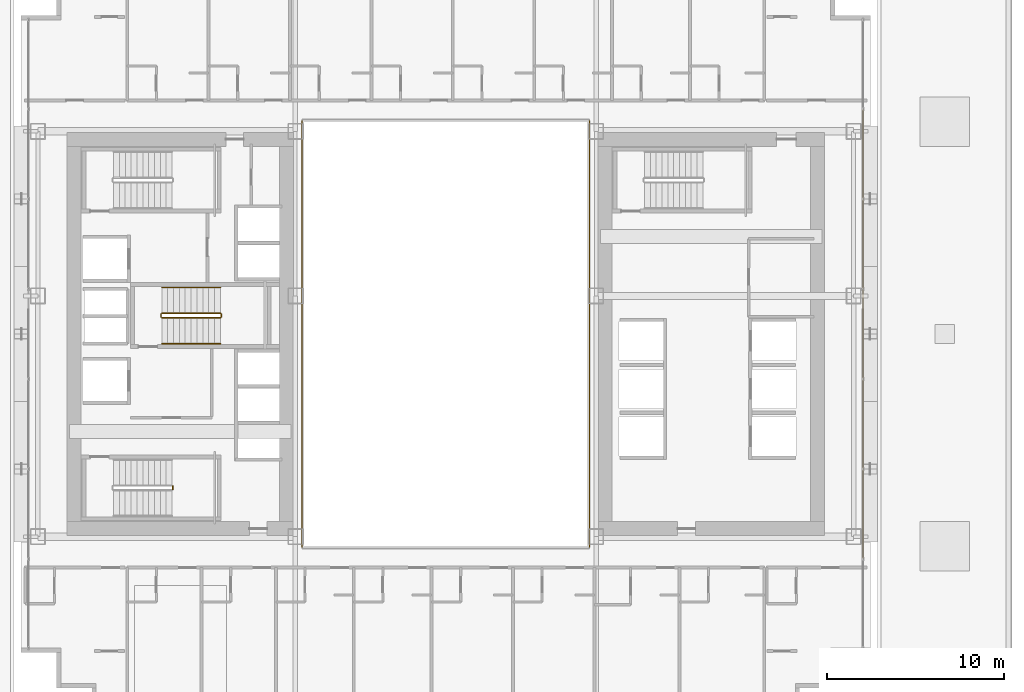
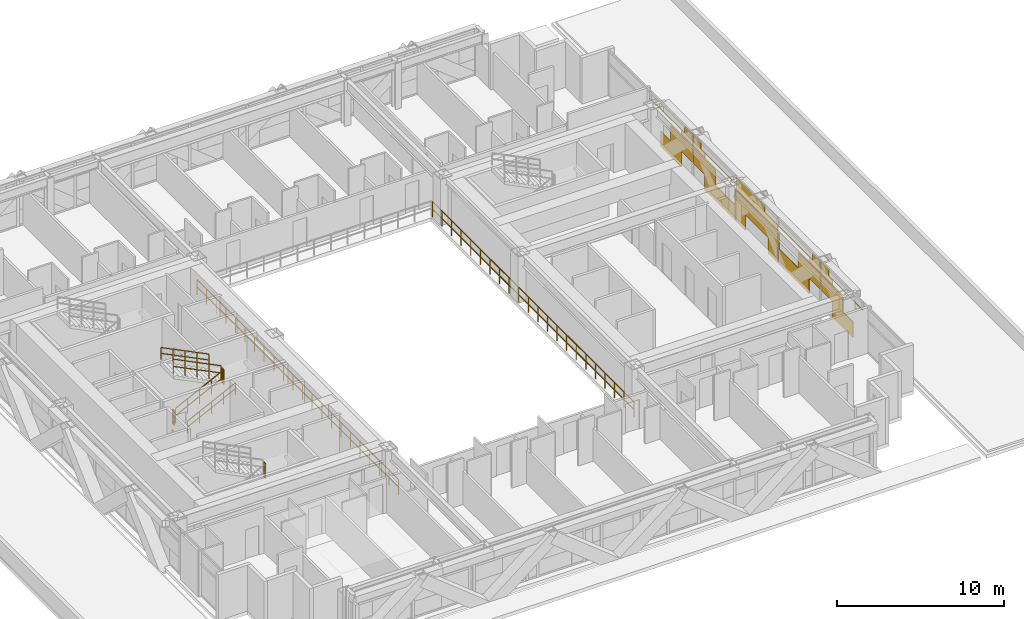
# One storey, part 33 of 35: 9 railings, 1 covering.
"""IFC4 building model written with IfcOpenShell, lengths in metres."""

from ifc_helpers import new_model, si_unit, direction, frame, origin, origin_2d, place, context, subcontext, project, spatial, rectangle, extrude, material, layer, layer_set, type_object, element, save


model = new_model("IFC4")

# Units and contexts
model_context = context("Model", 3, precision=1e-05, world=origin(), true_north=direction((0.0, 1.0)))
body_context = subcontext(model_context, "Body", "Model", "MODEL_VIEW")
ifc_project = project(units=[si_unit("LENGTHUNIT", "METRE"), si_unit("AREAUNIT", "SQUARE_METRE"), si_unit("VOLUMEUNIT", "CUBIC_METRE"), si_unit("PLANEANGLEUNIT", "RADIAN"), si_unit("MASSUNIT", "GRAM", prefix="KILO")], contexts=[model_context])

# Site, building, storey
site_placement = place(None, origin())
site = spatial("IfcSite", under=ifc_project, at=site_placement, CompositionType="ELEMENT")
building_placement = place(site_placement, origin())
building = spatial("IfcBuilding", under=site, at=building_placement, Name="Ocotamira Hotel", CompositionType="ELEMENT")
storey_placement = place(building_placement, frame((0.0, 0.0, 34.800048828125)))
storey = spatial("IfcBuildingStorey", under=building, at=storey_placement, Name="L07", CompositionType="ELEMENT", Elevation=34.800048828125)

# Covering
ifc_material_1 = material(Name="Insulated pale-metal aluminium spandrel panel", Category="aluminium")
ifc_layer = layer(ifc_material_1, 0.044921875)
ifc_layer_set = layer_set([ifc_layer], Name="Insulated pale-metal aluminium spandrel panel")
covering_type = type_object("IfcCoveringType", Name="COV-INFILL-45", PredefinedType="CLADDING", material=ifc_layer_set)
covering_placement = place(storey_placement, origin())
element("IfcCovering", 1, at=covering_placement, inside=storey, type_object=covering_type, Name="L07 Curtain Wall Infill CW-2 CW-L07-E", PredefinedType="CLADDING", context=body_context, shape_type="SweptSolid", body=[
    extrude(rectangle(XDim=2.49658203125, YDim=0.044921875, at=origin_2d()), frame((55.580078125, 15.752685546875, 0.075439453125), z_axis=(0.0, 0.0, 1.0), x_axis=(0.0, 1.0, 0.0)), (0.0, 0.0, 1.0), 1.11767578125),
    extrude(rectangle(XDim=2.640625, YDim=0.044921875, at=origin_2d()), frame((55.580078125, 17.010498046875, 1.194091796875), z_axis=(0.0, 0.0, 1.0), x_axis=(0.0, 1.0, 0.0)), (0.0, 0.0, 1.0), 1.11767578125),
    extrude(rectangle(XDim=5.004638671875, YDim=0.044921875, at=origin_2d()), frame((55.580078125, 15.82861328125, 2.755859375), z_axis=(0.0, 0.0, 1.0), x_axis=(0.0, 1.0, 0.0)), (0.0, 0.0, 1.0), 0.033203125),
    extrude(rectangle(XDim=1.375, YDim=0.044921875, at=origin_2d()), frame((55.580078125, 17.643310546875, 2.38818359375), z_axis=(0.0, 0.0, 1.0), x_axis=(0.0, 1.0, 0.0)), (0.0, 0.0, 1.0), 0.366943359375),
    extrude(rectangle(XDim=0.948486328125, YDim=0.044921875, at=origin_2d()), frame((55.580078125, 17.856689453125, 2.79052734375), z_axis=(0.0, 0.0, 1.0), x_axis=(0.0, 1.0, 0.0)), (0.0, 0.0, 1.0), 0.484130859375),
    extrude(rectangle(XDim=2.631103515625, YDim=0.044921875, at=origin_2d()), frame((55.580078125, 19.727294921875, 1.194091796875), z_axis=(0.0, 0.0, 1.0), x_axis=(0.0, 1.0, 0.0)), (0.0, 0.0, 1.0), 1.11767578125),
    extrude(rectangle(XDim=3.684326171875, YDim=0.044921875, at=origin_2d()), frame((55.580078125, 21.574462890625, 0.075439453125), z_axis=(0.0, 0.0, 1.0), x_axis=(0.0, 1.0, 0.0)), (0.0, 0.0, 1.0), 1.11767578125),
    extrude(rectangle(XDim=0.093017578125, YDim=0.044921875, at=origin_2d()), frame((55.580078125, 23.3701171875, 1.194091796875), z_axis=(0.0, 0.0, 1.0), x_axis=(0.0, 1.0, 0.0)), (0.0, 0.0, 1.0), 1.11767578125),
    extrude(rectangle(XDim=1.365478515625, YDim=0.044921875, at=origin_2d()), frame((55.580078125, 19.094482421875, 2.38818359375), z_axis=(0.0, 0.0, 1.0), x_axis=(0.0, 1.0, 0.0)), (0.0, 0.0, 1.0), 0.366943359375),
    extrude(rectangle(XDim=5.004638671875, YDim=0.044921875, at=origin_2d()), frame((55.580078125, 20.914306640625, 2.755859375), z_axis=(0.0, 0.0, 1.0), x_axis=(0.0, 1.0, 0.0)), (0.0, 0.0, 1.0), 0.033203125),
    extrude(rectangle(XDim=0.93896484375, YDim=0.044921875, at=origin_2d()), frame((55.580078125, 18.88134765625, 2.79052734375), z_axis=(0.0, 0.0, 1.0), x_axis=(0.0, 1.0, 0.0)), (0.0, 0.0, 1.0), 0.484130859375),
    extrude(rectangle(XDim=1.13671875, YDim=0.044921875, at=origin_2d()), frame((55.580078125, 24.06591796875, 0.075439453125), z_axis=(0.0, 0.0, 1.0), x_axis=(0.0, 1.0, 0.0)), (0.0, 0.0, 1.0), 1.11767578125),
    extrude(rectangle(XDim=5.004638671875, YDim=0.044921875, at=origin_2d()), frame((55.580078125, 26.0, 1.194091796875), z_axis=(0.0, 0.0, 1.0), x_axis=(0.0, 1.0, 0.0)), (0.0, 0.0, 1.0), 1.11767578125),
    extrude(rectangle(XDim=1.13671875, YDim=0.044921875, at=origin_2d()), frame((55.580078125, 27.93408203125, 0.075439453125), z_axis=(0.0, 0.0, 1.0), x_axis=(0.0, 1.0, 0.0)), (0.0, 0.0, 1.0), 1.11767578125),
    extrude(rectangle(XDim=5.004638671875, YDim=0.044921875, at=origin_2d()), frame((55.580078125, 26.0, 2.387939453125), z_axis=(0.0, 0.0, 1.0), x_axis=(0.0, 1.0, 0.0)), (0.0, 0.0, 1.0), 0.4013671875),
    extrude(rectangle(XDim=3.486572265625, YDim=0.044921875, at=origin_2d()), frame((55.580078125, 26.759033203125, 2.79052734375), z_axis=(0.0, 0.0, 1.0), x_axis=(0.0, 1.0, 0.0)), (0.0, 0.0, 1.0), 0.484130859375),
    extrude(rectangle(XDim=3.684326171875, YDim=0.044921875, at=origin_2d()), frame((55.580078125, 30.425537109375, 0.075439453125), z_axis=(0.0, 0.0, 1.0), x_axis=(0.0, 1.0, 0.0)), (0.0, 0.0, 1.0), 1.11767578125),
    extrude(rectangle(XDim=0.093017578125, YDim=0.044921875, at=origin_2d()), frame((55.580078125, 28.6298828125, 1.194091796875), z_axis=(0.0, 0.0, 1.0), x_axis=(0.0, 1.0, 0.0)), (0.0, 0.0, 1.0), 1.11767578125),
    extrude(rectangle(XDim=2.631103515625, YDim=0.044921875, at=origin_2d()), frame((55.580078125, 32.272705078125, 1.194091796875), z_axis=(0.0, 0.0, 1.0), x_axis=(0.0, 1.0, 0.0)), (0.0, 0.0, 1.0), 1.11767578125),
    extrude(rectangle(XDim=5.004638671875, YDim=0.044921875, at=origin_2d()), frame((55.580078125, 31.085693359375, 2.755859375), z_axis=(0.0, 0.0, 1.0), x_axis=(0.0, 1.0, 0.0)), (0.0, 0.0, 1.0), 0.033203125),
    extrude(rectangle(XDim=1.365478515625, YDim=0.044921875, at=origin_2d()), frame((55.580078125, 32.905517578125, 2.38818359375), z_axis=(0.0, 0.0, 1.0), x_axis=(0.0, 1.0, 0.0)), (0.0, 0.0, 1.0), 0.366943359375),
    extrude(rectangle(XDim=0.93896484375, YDim=0.044921875, at=origin_2d()), frame((55.580078125, 33.11865234375, 2.79052734375), z_axis=(0.0, 0.0, 1.0), x_axis=(0.0, 1.0, 0.0)), (0.0, 0.0, 1.0), 0.484130859375),
    extrude(rectangle(XDim=2.640625, YDim=0.044921875, at=origin_2d()), frame((55.580078125, 34.989501953125, 1.194091796875), z_axis=(0.0, 0.0, 1.0), x_axis=(0.0, 1.0, 0.0)), (0.0, 0.0, 1.0), 1.11767578125),
    extrude(rectangle(XDim=2.49658203125, YDim=0.044921875, at=origin_2d()), frame((55.580078125, 36.247314453125, 0.075439453125), z_axis=(0.0, 0.0, 1.0), x_axis=(0.0, 1.0, 0.0)), (0.0, 0.0, 1.0), 1.11767578125),
    extrude(rectangle(XDim=1.375, YDim=0.044921875, at=origin_2d()), frame((55.580078125, 34.356689453125, 2.38818359375), z_axis=(0.0, 0.0, 1.0), x_axis=(0.0, 1.0, 0.0)), (0.0, 0.0, 1.0), 0.366943359375),
    extrude(rectangle(XDim=5.004638671875, YDim=0.044921875, at=origin_2d()), frame((55.580078125, 36.17138671875, 2.755859375), z_axis=(0.0, 0.0, 1.0), x_axis=(0.0, 1.0, 0.0)), (0.0, 0.0, 1.0), 0.033203125),
    extrude(rectangle(XDim=0.948486328125, YDim=0.044921875, at=origin_2d()), frame((55.580078125, 34.143310546875, 2.79052734375), z_axis=(0.0, 0.0, 1.0), x_axis=(0.0, 1.0, 0.0)), (0.0, 0.0, 1.0), 0.484130859375),
])

# Railings
ifc_material_2 = material(Name="Painted steel stair guardrail", Category="steel")
railing_type_1 = type_object("IfcRailingType", Name="RL-EDGE-1150", PredefinedType="GUARDRAIL", material=ifc_material_2)
railing_1_placement = place(storey_placement, frame((40.1201171875, 13.9599609375, 0.0)))
element("IfcRailing", 2, at=railing_1_placement, inside=storey, type_object=railing_type_1, Name="L07 Central Atrium Edge Guardrail E", PredefinedType="GUARDRAIL", context=body_context, shape_type="SweptSolid", body=[
    extrude(rectangle(XDim=0.048095703125, YDim=0.048095703125, at=origin_2d()), frame((0.0, 0.0, 1.1259765625), z_axis=(0.0, 1.0, 0.0), x_axis=(-1.0, 0.0, 0.0)), (0.0, 0.0, 1.0), 24.080078125),
    extrude(rectangle(XDim=0.048095703125, YDim=0.048095703125, at=origin_2d()), frame((0.0, 0.0, 0.574951171875), z_axis=(0.0, 1.0, 0.0), x_axis=(-1.0, 0.0, 0.0)), (0.0, 0.0, 1.0), 24.080078125),
    extrude(rectangle(XDim=0.0419921875, YDim=0.0419921875, at=origin_2d()), origin(), (0.0, 0.0, 1.0), 1.101806640625),
    extrude(rectangle(XDim=0.0419921875, YDim=0.0419921875, at=origin_2d()), frame((0.0, 1.146728515625, 0.0)), (0.0, 0.0, 1.0), 1.101806640625),
    extrude(rectangle(XDim=0.0419921875, YDim=0.0419921875, at=origin_2d()), frame((0.0, 2.29345703125, 0.0)), (0.0, 0.0, 1.0), 1.101806640625),
    extrude(rectangle(XDim=0.0419921875, YDim=0.0419921875, at=origin_2d()), frame((0.0, 3.43994140625, 0.0)), (0.0, 0.0, 1.0), 1.101806640625),
    extrude(rectangle(XDim=0.0419921875, YDim=0.0419921875, at=origin_2d()), frame((0.0, 4.586669921875, 0.0)), (0.0, 0.0, 1.0), 1.101806640625),
    extrude(rectangle(XDim=0.0419921875, YDim=0.0419921875, at=origin_2d()), frame((0.0, 5.7333984375, 0.0)), (0.0, 0.0, 1.0), 1.101806640625),
    extrude(rectangle(XDim=0.0419921875, YDim=0.0419921875, at=origin_2d()), frame((0.0, 6.880126953125, 0.0)), (0.0, 0.0, 1.0), 1.101806640625),
    extrude(rectangle(XDim=0.0419921875, YDim=0.0419921875, at=origin_2d()), frame((0.0, 8.026611328125, 0.0)), (0.0, 0.0, 1.0), 1.101806640625),
    extrude(rectangle(XDim=0.0419921875, YDim=0.0419921875, at=origin_2d()), frame((0.0, 9.17333984375, 0.0)), (0.0, 0.0, 1.0), 1.101806640625),
    extrude(rectangle(XDim=0.0419921875, YDim=0.0419921875, at=origin_2d()), frame((0.0, 10.320068359375, 0.0)), (0.0, 0.0, 1.0), 1.101806640625),
    extrude(rectangle(XDim=0.0419921875, YDim=0.0419921875, at=origin_2d()), frame((0.0, 11.466796875, 0.0)), (0.0, 0.0, 1.0), 1.101806640625),
    extrude(rectangle(XDim=0.0419921875, YDim=0.0419921875, at=origin_2d()), frame((0.0, 12.61328125, 0.0)), (0.0, 0.0, 1.0), 1.101806640625),
    extrude(rectangle(XDim=0.0419921875, YDim=0.0419921875, at=origin_2d()), frame((0.0, 13.760009765625, 0.0)), (0.0, 0.0, 1.0), 1.101806640625),
    extrude(rectangle(XDim=0.0419921875, YDim=0.0419921875, at=origin_2d()), frame((0.0, 14.90673828125, 0.0)), (0.0, 0.0, 1.0), 1.101806640625),
    extrude(rectangle(XDim=0.0419921875, YDim=0.0419921875, at=origin_2d()), frame((0.0, 16.053466796875, 0.0)), (0.0, 0.0, 1.0), 1.101806640625),
    extrude(rectangle(XDim=0.0419921875, YDim=0.0419921875, at=origin_2d()), frame((0.0, 17.199951171875, 0.0)), (0.0, 0.0, 1.0), 1.101806640625),
    extrude(rectangle(XDim=0.0419921875, YDim=0.0419921875, at=origin_2d()), frame((0.0, 18.3466796875, 0.0)), (0.0, 0.0, 1.0), 1.101806640625),
    extrude(rectangle(XDim=0.0419921875, YDim=0.0419921875, at=origin_2d()), frame((0.0, 19.493408203125, 0.0)), (0.0, 0.0, 1.0), 1.101806640625),
    extrude(rectangle(XDim=0.0419921875, YDim=0.0419921875, at=origin_2d()), frame((0.0, 20.64013671875, 0.0)), (0.0, 0.0, 1.0), 1.101806640625),
    extrude(rectangle(XDim=0.0419921875, YDim=0.0419921875, at=origin_2d()), frame((0.0, 21.78662109375, 0.0)), (0.0, 0.0, 1.0), 1.101806640625),
    extrude(rectangle(XDim=0.0419921875, YDim=0.0419921875, at=origin_2d()), frame((0.0, 22.933349609375, 0.0)), (0.0, 0.0, 1.0), 1.101806640625),
    extrude(rectangle(XDim=0.0419921875, YDim=0.0419921875, at=origin_2d()), frame((0.0, 24.080078125, 0.0)), (0.0, 0.0, 1.0), 1.101806640625),
])
railing_2_placement = place(storey_placement, frame((23.8798828125, 38.0400390625, 0.0)))
element("IfcRailing", 3, at=railing_2_placement, inside=storey, type_object=railing_type_1, Name="L07 Central Atrium Edge Guardrail W", PredefinedType="GUARDRAIL", context=body_context, shape_type="SweptSolid", body=[
    extrude(rectangle(XDim=0.048095703125, YDim=0.048095703125, at=origin_2d()), frame((0.0, 0.0, 1.1259765625), z_axis=(0.0, -1.0, 0.0), x_axis=(1.0, 0.0, 0.0)), (0.0, 0.0, 1.0), 24.080078125),
    extrude(rectangle(XDim=0.048095703125, YDim=0.048095703125, at=origin_2d()), frame((0.0, 0.0, 0.574951171875), z_axis=(0.0, -1.0, 0.0), x_axis=(1.0, 0.0, 0.0)), (0.0, 0.0, 1.0), 24.080078125),
    extrude(rectangle(XDim=0.0419921875, YDim=0.0419921875, at=origin_2d()), origin(), (0.0, 0.0, 1.0), 1.101806640625),
    extrude(rectangle(XDim=0.0419921875, YDim=0.0419921875, at=origin_2d()), frame((0.0, -1.146728515625, 0.0)), (0.0, 0.0, 1.0), 1.101806640625),
    extrude(rectangle(XDim=0.0419921875, YDim=0.0419921875, at=origin_2d()), frame((0.0, -2.29345703125, 0.0)), (0.0, 0.0, 1.0), 1.101806640625),
    extrude(rectangle(XDim=0.0419921875, YDim=0.0419921875, at=origin_2d()), frame((0.0, -3.43994140625, 0.0)), (0.0, 0.0, 1.0), 1.101806640625),
    extrude(rectangle(XDim=0.0419921875, YDim=0.0419921875, at=origin_2d()), frame((0.0, -4.586669921875, 0.0)), (0.0, 0.0, 1.0), 1.101806640625),
    extrude(rectangle(XDim=0.0419921875, YDim=0.0419921875, at=origin_2d()), frame((0.0, -5.7333984375, 0.0)), (0.0, 0.0, 1.0), 1.101806640625),
    extrude(rectangle(XDim=0.0419921875, YDim=0.0419921875, at=origin_2d()), frame((0.0, -6.880126953125, 0.0)), (0.0, 0.0, 1.0), 1.101806640625),
    extrude(rectangle(XDim=0.0419921875, YDim=0.0419921875, at=origin_2d()), frame((0.0, -8.026611328125, 0.0)), (0.0, 0.0, 1.0), 1.101806640625),
    extrude(rectangle(XDim=0.0419921875, YDim=0.0419921875, at=origin_2d()), frame((0.0, -9.17333984375, 0.0)), (0.0, 0.0, 1.0), 1.101806640625),
    extrude(rectangle(XDim=0.0419921875, YDim=0.0419921875, at=origin_2d()), frame((0.0, -10.320068359375, 0.0)), (0.0, 0.0, 1.0), 1.101806640625),
    extrude(rectangle(XDim=0.0419921875, YDim=0.0419921875, at=origin_2d()), frame((0.0, -11.466796875, 0.0)), (0.0, 0.0, 1.0), 1.101806640625),
    extrude(rectangle(XDim=0.0419921875, YDim=0.0419921875, at=origin_2d()), frame((0.0, -12.61328125, 0.0)), (0.0, 0.0, 1.0), 1.101806640625),
    extrude(rectangle(XDim=0.0419921875, YDim=0.0419921875, at=origin_2d()), frame((0.0, -13.760009765625, 0.0)), (0.0, 0.0, 1.0), 1.101806640625),
    extrude(rectangle(XDim=0.0419921875, YDim=0.0419921875, at=origin_2d()), frame((0.0, -14.90673828125, 0.0)), (0.0, 0.0, 1.0), 1.101806640625),
    extrude(rectangle(XDim=0.0419921875, YDim=0.0419921875, at=origin_2d()), frame((0.0, -16.053466796875, 0.0)), (0.0, 0.0, 1.0), 1.101806640625),
    extrude(rectangle(XDim=0.0419921875, YDim=0.0419921875, at=origin_2d()), frame((0.0, -17.199951171875, 0.0)), (0.0, 0.0, 1.0), 1.101806640625),
    extrude(rectangle(XDim=0.0419921875, YDim=0.0419921875, at=origin_2d()), frame((0.0, -18.3466796875, 0.0)), (0.0, 0.0, 1.0), 1.101806640625),
    extrude(rectangle(XDim=0.0419921875, YDim=0.0419921875, at=origin_2d()), frame((0.0, -19.493408203125, 0.0)), (0.0, 0.0, 1.0), 1.101806640625),
    extrude(rectangle(XDim=0.0419921875, YDim=0.0419921875, at=origin_2d()), frame((0.0, -20.64013671875, 0.0)), (0.0, 0.0, 1.0), 1.101806640625),
    extrude(rectangle(XDim=0.0419921875, YDim=0.0419921875, at=origin_2d()), frame((0.0, -21.78662109375, 0.0)), (0.0, 0.0, 1.0), 1.101806640625),
    extrude(rectangle(XDim=0.0419921875, YDim=0.0419921875, at=origin_2d()), frame((0.0, -22.933349609375, 0.0)), (0.0, 0.0, 1.0), 1.101806640625),
    extrude(rectangle(XDim=0.0419921875, YDim=0.0419921875, at=origin_2d()), frame((0.0, -24.080078125, 0.0)), (0.0, 0.0, 1.0), 1.101806640625),
])
ifc_material_3 = material(Name="Brushed stainless steel handrail", Category="steel")
railing_type_2 = type_object("IfcRailingType", Name="RL-HAND-900", PredefinedType="HANDRAIL", material=ifc_material_3)
railing_3_placement = place(storey_placement, frame((15.9599609375, 25.449951171875, 0.3271484375)))
element("IfcRailing", 4, at=railing_3_placement, inside=storey, type_object=railing_type_2, Name="L07 ST-3 stair handrail 1", PredefinedType="HANDRAIL", context=body_context, shape_type="SweptSolid", body=[
    extrude(rectangle(XDim=0.048095703125, YDim=0.048095703125, at=origin_2d()), frame((0.0, 0.0, 0.8759765625), z_axis=(0.895893744519, 0.0, 0.4442683857), x_axis=(0.0, 1.0, 0.0)), (0.0, 0.0, 1.0), 3.68359375),
    extrude(rectangle(XDim=0.048095703125, YDim=0.048095703125, at=origin_2d()), frame((0.0, 0.0, 0.449951171875), z_axis=(0.895893744519, 0.0, 0.4442683857), x_axis=(0.0, 1.0, 0.0)), (0.0, 0.0, 1.0), 3.68359375),
    extrude(rectangle(XDim=0.0419921875, YDim=0.0419921875, at=origin_2d()), origin(), (0.0, 0.0, 1.0), 0.851806640625),
    extrude(rectangle(XDim=0.0419921875, YDim=0.0419921875, at=origin_2d()), frame((0.824951171875, 0.0, 0.4091796875)), (0.0, 0.0, 1.0), 0.851806640625),
    extrude(rectangle(XDim=0.0419921875, YDim=0.0419921875, at=origin_2d()), frame((1.64990234375, 0.0, 0.818359375)), (0.0, 0.0, 1.0), 0.851806640625),
    extrude(rectangle(XDim=0.0419921875, YDim=0.0419921875, at=origin_2d()), frame((2.47509765625, 0.0, 1.227294921875)), (0.0, 0.0, 1.0), 0.851806640625),
    extrude(rectangle(XDim=0.0419921875, YDim=0.0419921875, at=origin_2d()), frame((3.300048828125, 0.0, 1.636474609375)), (0.0, 0.0, 1.0), 0.851806640625),
])
railing_4_placement = place(storey_placement, frame((19.260009765625, 28.6298828125, 2.127197265625)))
element("IfcRailing", 5, at=railing_4_placement, inside=storey, type_object=railing_type_2, Name="L07 ST-3 stair handrail 2", PredefinedType="HANDRAIL", context=body_context, shape_type="SweptSolid", body=[
    extrude(rectangle(XDim=0.048095703125, YDim=0.048095703125, at=origin_2d()), frame((0.0, 0.0, 0.8759765625), z_axis=(-0.895893744519, 0.0, 0.4442683857), x_axis=(0.0, -1.0, 0.0)), (0.0, 0.0, 1.0), 3.68359375),
    extrude(rectangle(XDim=0.048095703125, YDim=0.048095703125, at=origin_2d()), frame((0.0, 0.0, 0.449951171875), z_axis=(-0.895893744519, 0.0, 0.4442683857), x_axis=(0.0, -1.0, 0.0)), (0.0, 0.0, 1.0), 3.68359375),
    extrude(rectangle(XDim=0.0419921875, YDim=0.0419921875, at=origin_2d()), origin(), (0.0, 0.0, 1.0), 0.851806640625),
    extrude(rectangle(XDim=0.0419921875, YDim=0.0419921875, at=origin_2d()), frame((-0.824951171875, 0.0, 0.4091796875)), (0.0, 0.0, 1.0), 0.851806640625),
    extrude(rectangle(XDim=0.0419921875, YDim=0.0419921875, at=origin_2d()), frame((-1.64990234375, 0.0, 0.818359375)), (0.0, 0.0, 1.0), 0.851806640625),
    extrude(rectangle(XDim=0.0419921875, YDim=0.0419921875, at=origin_2d()), frame((-2.47509765625, 0.0, 1.227294921875)), (0.0, 0.0, 1.0), 0.851806640625),
    extrude(rectangle(XDim=0.0419921875, YDim=0.0419921875, at=origin_2d()), frame((-3.300048828125, 0.0, 1.636474609375)), (0.0, 0.0, 1.0), 0.851806640625),
])
railing_type_3 = type_object("IfcRailingType", Name="RL-STAIR-1100", PredefinedType="GUARDRAIL", material=ifc_material_2)
railing_5_placement = place(storey_placement, frame((16.580078125, 17.22998046875, 1.800048828125)))
element("IfcRailing", 6, at=railing_5_placement, inside=storey, type_object=railing_type_3, Name="L07 ST-1 stair guard 2", PredefinedType="GUARDRAIL", context=body_context, shape_type="SweptSolid", body=[
    extrude(rectangle(XDim=0.048095703125, YDim=0.048095703125, at=origin_2d()), frame((0.0, 0.0, 1.076171875), z_axis=(0.0, 1.0, 0.0), x_axis=(-1.0, 0.0, 0.0)), (0.0, 0.0, 1.0), 0.159912109375),
    extrude(rectangle(XDim=0.048095703125, YDim=0.048095703125, at=origin_2d()), frame((0.0, 0.0, 0.550048828125), z_axis=(0.0, 1.0, 0.0), x_axis=(-1.0, 0.0, 0.0)), (0.0, 0.0, 1.0), 0.159912109375),
    extrude(rectangle(XDim=0.0419921875, YDim=0.0419921875, at=origin_2d()), origin(), (0.0, 0.0, 1.0), 1.052001953125),
    extrude(rectangle(XDim=0.0419921875, YDim=0.0419921875, at=origin_2d()), frame((0.0, 0.159912109375, 0.0)), (0.0, 0.0, 1.0), 1.052001953125),
])
railing_6_placement = place(storey_placement, frame((15.9599609375, 26.909912109375, 0.16357421875)))
element("IfcRailing", 7, at=railing_6_placement, inside=storey, type_object=railing_type_3, Name="L07 ST-3 stair guard 1", PredefinedType="GUARDRAIL", context=body_context, shape_type="SweptSolid", body=[
    extrude(rectangle(XDim=0.048095703125, YDim=0.048095703125, at=origin_2d()), frame((0.0, 0.0, 1.076171875), z_axis=(0.895893744519, 0.0, 0.4442683857), x_axis=(0.0, 1.0, 0.0)), (0.0, 0.0, 1.0), 3.68359375),
    extrude(rectangle(XDim=0.048095703125, YDim=0.048095703125, at=origin_2d()), frame((0.0, 0.0, 0.550048828125), z_axis=(0.895893744519, 0.0, 0.4442683857), x_axis=(0.0, 1.0, 0.0)), (0.0, 0.0, 1.0), 3.68359375),
    extrude(rectangle(XDim=0.0419921875, YDim=0.0419921875, at=origin_2d()), origin(), (0.0, 0.0, 1.0), 1.052001953125),
    extrude(rectangle(XDim=0.0419921875, YDim=0.0419921875, at=origin_2d()), frame((0.824951171875, 0.0, 0.4091796875)), (0.0, 0.0, 1.0), 1.052001953125),
    extrude(rectangle(XDim=0.0419921875, YDim=0.0419921875, at=origin_2d()), frame((1.64990234375, 0.0, 0.818359375)), (0.0, 0.0, 1.0), 1.052001953125),
    extrude(rectangle(XDim=0.0419921875, YDim=0.0419921875, at=origin_2d()), frame((2.47509765625, 0.0, 1.227294921875)), (0.0, 0.0, 1.0), 1.052001953125),
    extrude(rectangle(XDim=0.0419921875, YDim=0.0419921875, at=origin_2d()), frame((3.300048828125, 0.0, 1.636474609375)), (0.0, 0.0, 1.0), 1.052001953125),
])
railing_7_placement = place(storey_placement, frame((19.31005859375, 26.9599609375, 1.800048828125)))
element("IfcRailing", 8, at=railing_7_placement, inside=storey, type_object=railing_type_3, Name="L07 ST-3 stair guard 2", PredefinedType="GUARDRAIL", context=body_context, shape_type="SweptSolid", body=[
    extrude(rectangle(XDim=0.048095703125, YDim=0.048095703125, at=origin_2d()), frame((0.0, 0.0, 1.076171875), z_axis=(0.0, 1.0, 0.0), x_axis=(-1.0, 0.0, 0.0)), (0.0, 0.0, 1.0), 0.16015625),
    extrude(rectangle(XDim=0.048095703125, YDim=0.048095703125, at=origin_2d()), frame((0.0, 0.0, 0.550048828125), z_axis=(0.0, 1.0, 0.0), x_axis=(-1.0, 0.0, 0.0)), (0.0, 0.0, 1.0), 0.16015625),
    extrude(rectangle(XDim=0.0419921875, YDim=0.0419921875, at=origin_2d()), origin(), (0.0, 0.0, 1.0), 1.052001953125),
    extrude(rectangle(XDim=0.0419921875, YDim=0.0419921875, at=origin_2d()), frame((0.0, 0.16015625, 0.0)), (0.0, 0.0, 1.0), 1.052001953125),
])
railing_8_placement = place(storey_placement, frame((19.260009765625, 27.169921875, 1.963623046875)))
element("IfcRailing", 9, at=railing_8_placement, inside=storey, type_object=railing_type_3, Name="L07 ST-3 stair guard 3", PredefinedType="GUARDRAIL", context=body_context, shape_type="SweptSolid", body=[
    extrude(rectangle(XDim=0.048095703125, YDim=0.048095703125, at=origin_2d()), frame((0.0, 0.0, 1.076171875), z_axis=(-0.895920123917, 0.0, 0.444215186098), x_axis=(0.0, -1.0, 0.0)), (0.0, 0.0, 1.0), 3.683349609375),
    extrude(rectangle(XDim=0.048095703125, YDim=0.048095703125, at=origin_2d()), frame((0.0, 0.0, 0.550048828125), z_axis=(-0.895920123917, 0.0, 0.444215186098), x_axis=(0.0, -1.0, 0.0)), (0.0, 0.0, 1.0), 3.683349609375),
    extrude(rectangle(XDim=0.0419921875, YDim=0.0419921875, at=origin_2d()), origin(), (0.0, 0.0, 1.0), 1.052001953125),
    extrude(rectangle(XDim=0.0419921875, YDim=0.0419921875, at=origin_2d()), frame((-0.824951171875, 0.0, 0.4091796875)), (0.0, 0.0, 1.0), 1.052001953125),
    extrude(rectangle(XDim=0.0419921875, YDim=0.0419921875, at=origin_2d()), frame((-1.64990234375, 0.0, 0.818115234375)), (0.0, 0.0, 1.0), 1.052001953125),
    extrude(rectangle(XDim=0.0419921875, YDim=0.0419921875, at=origin_2d()), frame((-2.47509765625, 0.0, 1.22705078125)), (0.0, 0.0, 1.0), 1.052001953125),
    extrude(rectangle(XDim=0.0419921875, YDim=0.0419921875, at=origin_2d()), frame((-3.300048828125, 0.0, 1.63623046875)), (0.0, 0.0, 1.0), 1.052001953125),
])
railing_9_placement = place(storey_placement, frame((15.909912109375, 26.9599609375, 0.0)))
element("IfcRailing", 10, at=railing_9_placement, inside=storey, type_object=railing_type_3, Name="L07 ST-3 stair guard 4", PredefinedType="GUARDRAIL", context=body_context, shape_type="SweptSolid", body=[
    extrude(rectangle(XDim=0.048095703125, YDim=0.048095703125, at=origin_2d()), frame((0.0, 0.0, 1.076171875), z_axis=(0.0, 1.0, 0.0), x_axis=(-1.0, 0.0, 0.0)), (0.0, 0.0, 1.0), 0.16015625),
    extrude(rectangle(XDim=0.048095703125, YDim=0.048095703125, at=origin_2d()), frame((0.0, 0.0, 0.550048828125), z_axis=(0.0, 1.0, 0.0), x_axis=(-1.0, 0.0, 0.0)), (0.0, 0.0, 1.0), 0.16015625),
    extrude(rectangle(XDim=0.0419921875, YDim=0.0419921875, at=origin_2d()), origin(), (0.0, 0.0, 1.0), 1.052001953125),
    extrude(rectangle(XDim=0.0419921875, YDim=0.0419921875, at=origin_2d()), frame((0.0, 0.16015625, 0.0)), (0.0, 0.0, 1.0), 1.052001953125),
])

save(model, "model.ifc")
